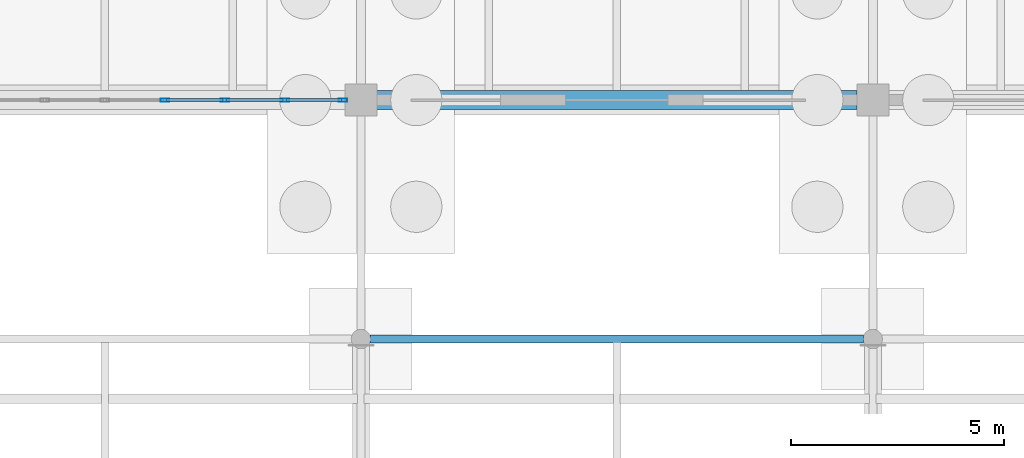
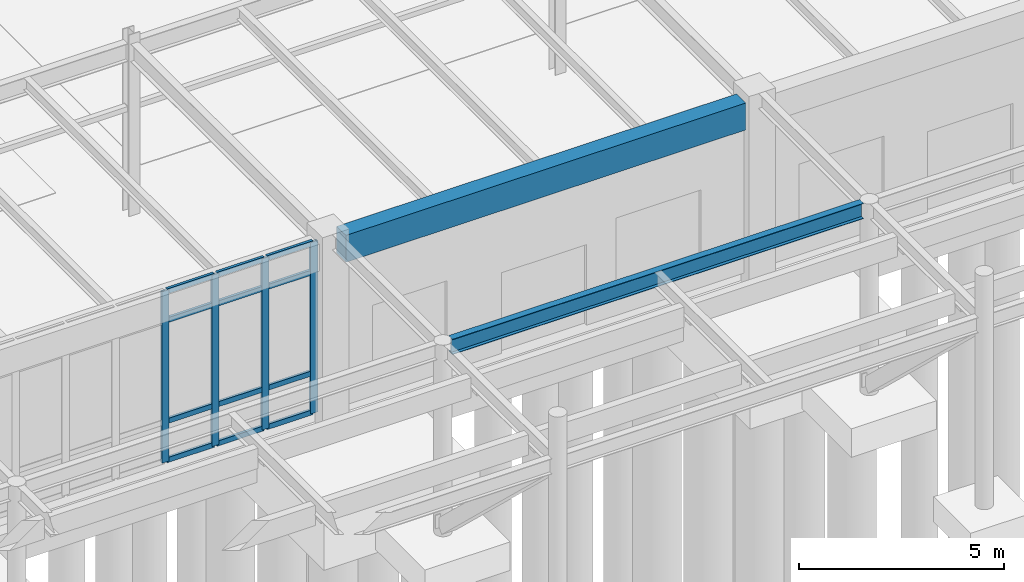
# One storey, part 58 of 188: 16 members, 2 beams, 1 element without a shape of its own.
"""IFC4 building model written with IfcOpenShell, lengths in metres."""

from ifc_helpers import new_model, si_unit, direction, frame, origin, origin_2d, place, context, subcontext, project, spatial, rectangle, hollow_rectangle, i_section, extrude, material, layer, layer_set, material_profile, profile_set, type_object, element, aggregate, save


model = new_model("IFC4")

# Units and contexts
model_context = context("Model", 3, precision=1e-05, world=origin(), true_north=direction((0.0, 1.0)))
body_context = subcontext(model_context, "Body", "Model", "MODEL_VIEW")
ifc_project = project(units=[si_unit("LENGTHUNIT", "METRE"), si_unit("AREAUNIT", "SQUARE_METRE"), si_unit("VOLUMEUNIT", "CUBIC_METRE"), si_unit("PLANEANGLEUNIT", "RADIAN"), si_unit("MASSUNIT", "GRAM", prefix="KILO")], contexts=[model_context])

# Site, building, storey
site_placement = place(None, origin())
site = spatial("IfcSite", under=ifc_project, at=site_placement, CompositionType="ELEMENT")
building_placement = place(site_placement, origin())
building = spatial("IfcBuilding", under=site, at=building_placement, Name="Pandanus Reach Market Hall", CompositionType="ELEMENT")
storey_placement = place(building_placement, origin())
storey = spatial("IfcBuildingStorey", under=building, at=storey_placement, Name="L00", CompositionType="ELEMENT", Elevation=0.0)

# Beams
ifc_material_1 = material(Name="Concrete N40 (40 MPa)", Category="concrete")
ifc_material_profile_1 = material_profile(ifc_material_1, rectangle(XDim=0.449951171875, YDim=0.800048828125, at=origin_2d()), Name="RC450x800", Category="LoadBearing")
ifc_profile_set_1 = profile_set([ifc_material_profile_1], Name="Concrete N40 (40 MPa)")
beam_type_1 = type_object("IfcBeamType", Name="BM-RC450-E", PredefinedType="SPANDREL", material=ifc_profile_set_1)
beam_1_placement = place(storey_placement, frame((84.373046875, 28.800048828125, 4.719970703125), z_axis=(1.0, 0.0, 0.0), x_axis=(0.0, 1.0, 0.0)))
element("IfcBeam", 1, at=beam_1_placement, inside=storey, type_object=beam_type_1, Name="Framing beam BM-RC450-E L00.1041", PredefinedType="SPANDREL", context=body_context, shape_type="SweptSolid", body=[
    extrude(rectangle(XDim=0.449951171875, YDim=0.800048828125, at=origin_2d()), origin(), (0.0, 0.0, 1.0), 11.25390625),
])
ifc_material_2 = material(Name="Steel Grade 350 (350 MPa)", Category="steel")
ifc_material_profile_2 = material_profile(ifc_material_2, i_section(OverallWidth=0.18994140625, OverallDepth=0.45703125, WebThickness=0.009033203125, FlangeThickness=0.014404296875, at=origin_2d()), Name="460UB74.6", Category="LoadBearing")
ifc_profile_set_2 = profile_set([ifc_material_profile_2], Name="Steel Grade 350 (350 MPa)")
beam_type_2 = type_object("IfcBeamType", Name="BM-UB460-E", PredefinedType="BEAM", material=ifc_profile_set_2)
beam_2_placement = place(storey_placement, frame((84.219970703125, 23.199951171875, 5.169921875), z_axis=(1.0, 0.0, 0.0), x_axis=(0.0, 1.0, 0.0)))
element("IfcBeam", 2, at=beam_2_placement, inside=storey, type_object=beam_type_2, Name="Forecourt canopy spine girder C3", PredefinedType="BEAM", context=body_context, shape_type="SweptSolid", body=[
    extrude(i_section(OverallWidth=0.18994140625, OverallDepth=0.45703125, WebThickness=0.009033203125, FlangeThickness=0.014404296875, at=origin_2d()), origin(), (0.0, 0.0, 1.0), 11.56005859375),
])

# Curtain wall, members
ifc_material_3 = material(Name="Bronze anodised aluminium and low-E glass", Category="aluminium")
ifc_layer = layer(ifc_material_3, 0.199951171875, Name="CW-01")
ifc_layer_set = layer_set([ifc_layer], Name="Bronze anodised aluminium and low-E glass")
curtain_wall_type = type_object("IfcCurtainWallType", Name="CW-01", PredefinedType="NOTDEFINED", material=ifc_layer_set)
curtain_wall_placement = place(storey_placement, origin())
curtain_wall = element("IfcCurtainWall", 3, at=curtain_wall_placement, inside=storey, type_object=curtain_wall_type, Name="Glazed curtain wall CW-01 CW-0003", PredefinedType="NOTDEFINED")
ifc_material_4 = material(Name="Bronze anodised aluminium", Category="aluminium")
ifc_material_profile_3 = material_profile(ifc_material_4, hollow_rectangle(XDim=0.074951171875, YDim=0.199951171875, WallThickness=0.00439453125, at=origin_2d()), Name="ALU75x200", Category="LoadBearing")
ifc_profile_set_3 = profile_set([ifc_material_profile_3], Name="Bronze anodised aluminium")
member_type_1 = type_object("IfcMemberType", Name="CW-M2", PredefinedType="MULLION", material=ifc_profile_set_3)
member_1_placement = place(storey_placement, frame((79.40625, 28.800048828125, 0.0), z_axis=(0.0, 0.0, 1.0), x_axis=(0.0, 1.0, 0.0)))
member_1 = element("IfcMember", 4, at=member_1_placement, type_object=member_type_1, Name="CW-01 mullion 6", PredefinedType="MULLION", context=body_context, shape_type="SweptSolid", body=[
    extrude(hollow_rectangle(XDim=0.074951171875, YDim=0.199951171875, WallThickness=0.00439453125, at=origin_2d()), origin(), (0.0, 0.0, 1.0), 5.10009765625),
])
member_2_placement = place(storey_placement, frame((80.8125, 28.800048828125, 0.0), z_axis=(0.0, 0.0, 1.0), x_axis=(0.0, 1.0, 0.0)))
member_2 = element("IfcMember", 5, at=member_2_placement, type_object=member_type_1, Name="CW-01 mullion 7", PredefinedType="MULLION", context=body_context, shape_type="SweptSolid", body=[
    extrude(hollow_rectangle(XDim=0.074951171875, YDim=0.199951171875, WallThickness=0.00439453125, at=origin_2d()), origin(), (0.0, 0.0, 1.0), 5.10009765625),
])
member_3_placement = place(storey_placement, frame((82.21875, 28.800048828125, 0.0), z_axis=(0.0, 0.0, 1.0), x_axis=(0.0, 1.0, 0.0)))
member_3 = element("IfcMember", 6, at=member_3_placement, type_object=member_type_1, Name="CW-01 mullion 8", PredefinedType="MULLION", context=body_context, shape_type="SweptSolid", body=[
    extrude(hollow_rectangle(XDim=0.074951171875, YDim=0.199951171875, WallThickness=0.00439453125, at=origin_2d()), origin(), (0.0, 0.0, 1.0), 5.10009765625),
])
member_4_placement = place(storey_placement, frame((83.58740234375, 28.800048828125, 0.0), z_axis=(0.0, 0.0, 1.0), x_axis=(0.0, 1.0, 0.0)))
member_4 = element("IfcMember", 7, at=member_4_placement, type_object=member_type_1, Name="CW-01 mullion 9", PredefinedType="MULLION", context=body_context, shape_type="SweptSolid", body=[
    extrude(hollow_rectangle(XDim=0.074951171875, YDim=0.199951171875, WallThickness=0.00439453125, at=origin_2d()), origin(), (0.0, 0.0, 1.0), 5.10009765625),
])
ifc_material_profile_4 = material_profile(ifc_material_4, hollow_rectangle(XDim=0.074951171875, YDim=0.14990234375, WallThickness=0.00439453125, at=origin_2d()), Name="ALU75x150", Category="LoadBearing")
ifc_profile_set_4 = profile_set([ifc_material_profile_4], Name="Bronze anodised aluminium")
member_type_2 = type_object("IfcMemberType", Name="CW-T2", PredefinedType="USERDEFINED", material=ifc_profile_set_4)
member_5_placement = place(storey_placement, frame((79.44384765625, 28.800048828125, 0.03759765625), z_axis=(1.0, 0.0, 0.0), x_axis=(0.0, 1.0, 0.0)))
member_5 = element("IfcMember", 8, at=member_5_placement, type_object=member_type_2, Name="CW-01 transom 6.1", ObjectType="TRANSOM", PredefinedType="USERDEFINED", context=body_context, shape_type="SweptSolid", body=[
    extrude(hollow_rectangle(XDim=0.074951171875, YDim=0.14990234375, WallThickness=0.00439453125, at=origin_2d()), origin(), (0.0, 0.0, 1.0), 1.3310546875),
])
member_6_placement = place(storey_placement, frame((79.44384765625, 28.800048828125, 1.199951171875), z_axis=(1.0, 0.0, 0.0), x_axis=(0.0, 1.0, 0.0)))
member_6 = element("IfcMember", 9, at=member_6_placement, type_object=member_type_2, Name="CW-01 transom 6.2", ObjectType="TRANSOM", PredefinedType="USERDEFINED", context=body_context, shape_type="SweptSolid", body=[
    extrude(hollow_rectangle(XDim=0.074951171875, YDim=0.14990234375, WallThickness=0.00439453125, at=origin_2d()), origin(), (0.0, 0.0, 1.0), 1.3310546875),
])
member_7_placement = place(storey_placement, frame((79.44384765625, 28.800048828125, 4.199951171875), z_axis=(1.0, 0.0, 0.0), x_axis=(0.0, 1.0, 0.0)))
member_7 = element("IfcMember", 10, at=member_7_placement, type_object=member_type_2, Name="CW-01 transom 6.3", ObjectType="TRANSOM", PredefinedType="USERDEFINED", context=body_context, shape_type="SweptSolid", body=[
    extrude(hollow_rectangle(XDim=0.074951171875, YDim=0.14990234375, WallThickness=0.00439453125, at=origin_2d()), origin(), (0.0, 0.0, 1.0), 1.3310546875),
])
member_8_placement = place(storey_placement, frame((79.44384765625, 28.800048828125, 5.0625), z_axis=(1.0, 0.0, 0.0), x_axis=(0.0, 1.0, 0.0)))
member_8 = element("IfcMember", 11, at=member_8_placement, type_object=member_type_2, Name="CW-01 transom 6.4", ObjectType="TRANSOM", PredefinedType="USERDEFINED", context=body_context, shape_type="SweptSolid", body=[
    extrude(hollow_rectangle(XDim=0.074951171875, YDim=0.14990234375, WallThickness=0.00439453125, at=origin_2d()), origin(), (0.0, 0.0, 1.0), 1.3310546875),
])
member_9_placement = place(storey_placement, frame((80.85009765625, 28.800048828125, 0.03759765625), z_axis=(1.0, 0.0, 0.0), x_axis=(0.0, 1.0, 0.0)))
member_9 = element("IfcMember", 12, at=member_9_placement, type_object=member_type_2, Name="CW-01 transom 7.1", ObjectType="TRANSOM", PredefinedType="USERDEFINED", context=body_context, shape_type="SweptSolid", body=[
    extrude(hollow_rectangle(XDim=0.074951171875, YDim=0.14990234375, WallThickness=0.00439453125, at=origin_2d()), origin(), (0.0, 0.0, 1.0), 1.3310546875),
])
member_10_placement = place(storey_placement, frame((80.85009765625, 28.800048828125, 1.199951171875), z_axis=(1.0, 0.0, 0.0), x_axis=(0.0, 1.0, 0.0)))
member_10 = element("IfcMember", 13, at=member_10_placement, type_object=member_type_2, Name="CW-01 transom 7.2", ObjectType="TRANSOM", PredefinedType="USERDEFINED", context=body_context, shape_type="SweptSolid", body=[
    extrude(hollow_rectangle(XDim=0.074951171875, YDim=0.14990234375, WallThickness=0.00439453125, at=origin_2d()), origin(), (0.0, 0.0, 1.0), 1.3310546875),
])
member_11_placement = place(storey_placement, frame((80.85009765625, 28.800048828125, 4.199951171875), z_axis=(1.0, 0.0, 0.0), x_axis=(0.0, 1.0, 0.0)))
member_11 = element("IfcMember", 14, at=member_11_placement, type_object=member_type_2, Name="CW-01 transom 7.3", ObjectType="TRANSOM", PredefinedType="USERDEFINED", context=body_context, shape_type="SweptSolid", body=[
    extrude(hollow_rectangle(XDim=0.074951171875, YDim=0.14990234375, WallThickness=0.00439453125, at=origin_2d()), origin(), (0.0, 0.0, 1.0), 1.3310546875),
])
member_12_placement = place(storey_placement, frame((80.85009765625, 28.800048828125, 5.0625), z_axis=(1.0, 0.0, 0.0), x_axis=(0.0, 1.0, 0.0)))
member_12 = element("IfcMember", 15, at=member_12_placement, type_object=member_type_2, Name="CW-01 transom 7.4", ObjectType="TRANSOM", PredefinedType="USERDEFINED", context=body_context, shape_type="SweptSolid", body=[
    extrude(hollow_rectangle(XDim=0.074951171875, YDim=0.14990234375, WallThickness=0.00439453125, at=origin_2d()), origin(), (0.0, 0.0, 1.0), 1.3310546875),
])
member_13_placement = place(storey_placement, frame((82.25634765625, 28.800048828125, 0.03759765625), z_axis=(1.0, 0.0, 0.0), x_axis=(0.0, 1.0, 0.0)))
member_13 = element("IfcMember", 16, at=member_13_placement, type_object=member_type_2, Name="CW-01 transom 8.1", ObjectType="TRANSOM", PredefinedType="USERDEFINED", context=body_context, shape_type="SweptSolid", body=[
    extrude(hollow_rectangle(XDim=0.074951171875, YDim=0.14990234375, WallThickness=0.00439453125, at=origin_2d()), origin(), (0.0, 0.0, 1.0), 1.293701171875),
])
member_14_placement = place(storey_placement, frame((82.25634765625, 28.800048828125, 1.199951171875), z_axis=(1.0, 0.0, 0.0), x_axis=(0.0, 1.0, 0.0)))
member_14 = element("IfcMember", 17, at=member_14_placement, type_object=member_type_2, Name="CW-01 transom 8.2", ObjectType="TRANSOM", PredefinedType="USERDEFINED", context=body_context, shape_type="SweptSolid", body=[
    extrude(hollow_rectangle(XDim=0.074951171875, YDim=0.14990234375, WallThickness=0.00439453125, at=origin_2d()), origin(), (0.0, 0.0, 1.0), 1.293701171875),
])
member_15_placement = place(storey_placement, frame((82.25634765625, 28.800048828125, 4.199951171875), z_axis=(1.0, 0.0, 0.0), x_axis=(0.0, 1.0, 0.0)))
member_15 = element("IfcMember", 18, at=member_15_placement, type_object=member_type_2, Name="CW-01 transom 8.3", ObjectType="TRANSOM", PredefinedType="USERDEFINED", context=body_context, shape_type="SweptSolid", body=[
    extrude(hollow_rectangle(XDim=0.074951171875, YDim=0.14990234375, WallThickness=0.00439453125, at=origin_2d()), origin(), (0.0, 0.0, 1.0), 1.293701171875),
])
member_16_placement = place(storey_placement, frame((82.25634765625, 28.800048828125, 5.0625), z_axis=(1.0, 0.0, 0.0), x_axis=(0.0, 1.0, 0.0)))
member_16 = element("IfcMember", 19, at=member_16_placement, type_object=member_type_2, Name="CW-01 transom 8.4", ObjectType="TRANSOM", PredefinedType="USERDEFINED", context=body_context, shape_type="SweptSolid", body=[
    extrude(hollow_rectangle(XDim=0.074951171875, YDim=0.14990234375, WallThickness=0.00439453125, at=origin_2d()), origin(), (0.0, 0.0, 1.0), 1.293701171875),
])
aggregate(curtain_wall, [member_1, member_2, member_3, member_4, member_5, member_6, member_7, member_8, member_9, member_10, member_11, member_12, member_13, member_14, member_15, member_16])

save(model, "model.ifc")
